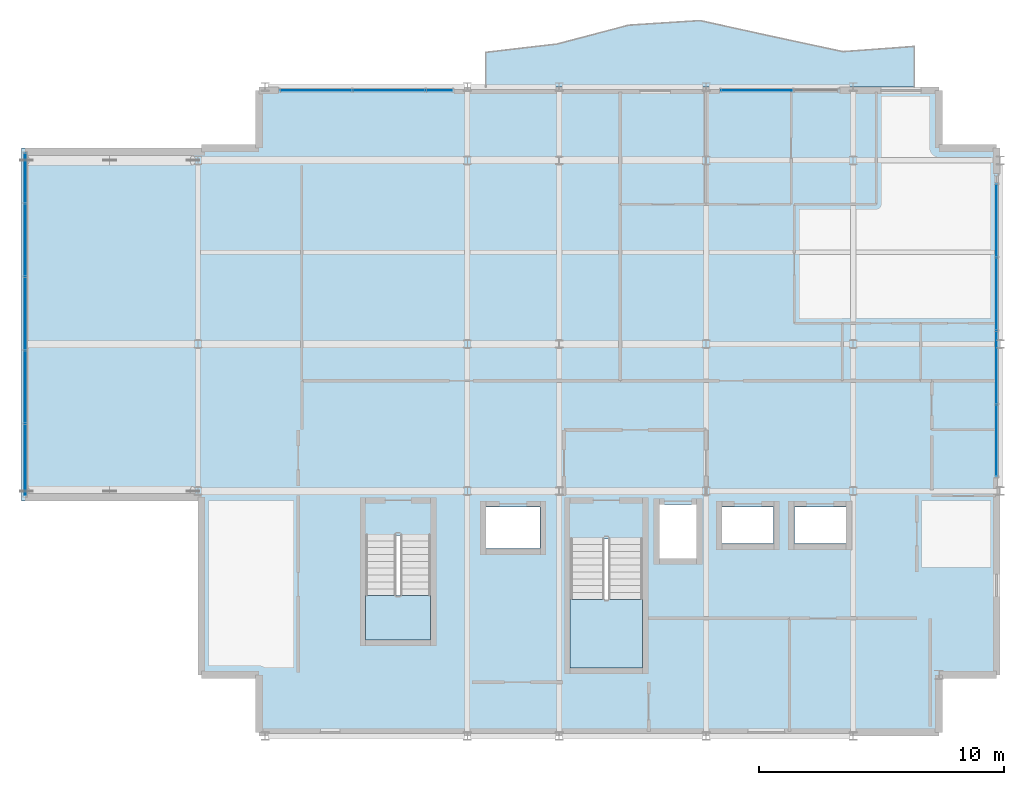
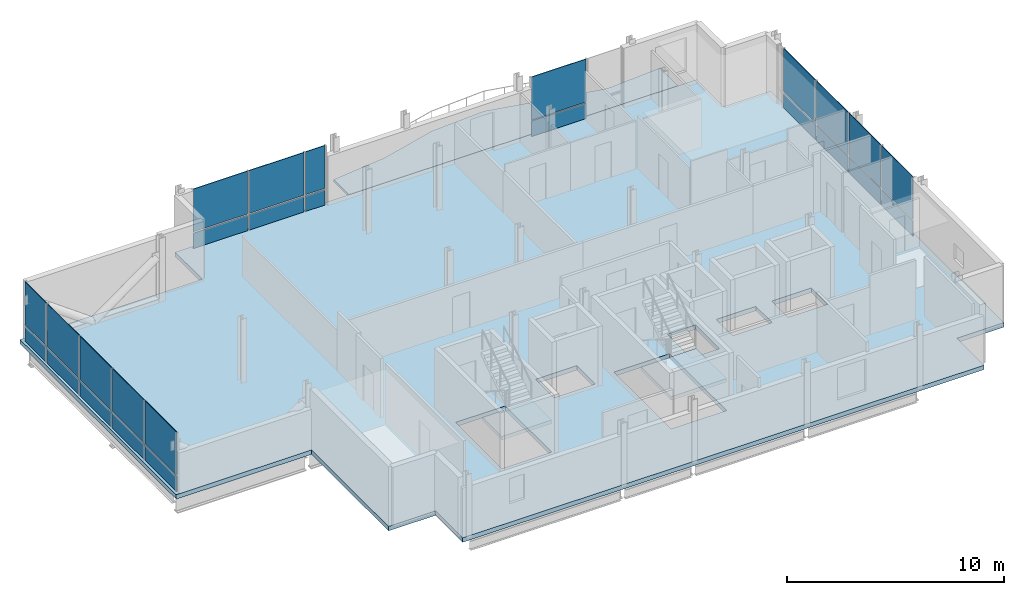
# One storey, part 10 of 18: 26 plates, 4 slabs, 6 elements without a shape of their own.
"""IFC4 building model written with IfcOpenShell, lengths in metres."""

from ifc_helpers import new_model, si_unit, direction, frame, origin, origin_2d, place, context, subcontext, project, spatial, polyline, rectangle, outline, extrude, material, layer, layer_set, type_object, element, aggregate, save


model = new_model("IFC4")

# Units and contexts
model_context = context("Model", 3, precision=1e-05, world=origin(), true_north=direction((0.0, 1.0)))
body_context = subcontext(model_context, "Body", "Model", "MODEL_VIEW")
ifc_project = project(units=[si_unit("LENGTHUNIT", "METRE"), si_unit("AREAUNIT", "SQUARE_METRE"), si_unit("VOLUMEUNIT", "CUBIC_METRE"), si_unit("PLANEANGLEUNIT", "RADIAN"), si_unit("MASSUNIT", "GRAM", prefix="KILO")], contexts=[model_context])

# Site, building, storey
site_placement = place(None, origin())
site = spatial("IfcSite", under=ifc_project, at=site_placement, CompositionType="ELEMENT")
building_placement = place(site_placement, origin())
building = spatial("IfcBuilding", under=site, at=building_placement, Name="Brevholm Reach", CompositionType="ELEMENT")
storey_placement = place(building_placement, frame((0.0, 0.0, 240.050048828125)))
storey = spatial("IfcBuildingStorey", under=building, at=storey_placement, Name="L73", CompositionType="ELEMENT", Elevation=240.050048828125)

# Curtain wall, plates
ifc_material_1 = material(Name="Dark Anodised Aluminium 6063-T6 and Solar-Control Glass", Category="aluminium")
ifc_layer_1 = layer(ifc_material_1, 0.179931640625)
ifc_layer_set_1 = layer_set([ifc_layer_1], Name="Dark Anodised Aluminium 6063-T6 and Solar-Control Glass")
curtain_wall_type = type_object("IfcCurtainWallType", Name="CW-05", PredefinedType="NOTDEFINED", material=ifc_layer_set_1)
curtain_wall_1_placement = place(storey_placement, origin())
curtain_wall_1 = element("IfcCurtainWall", 1, at=curtain_wall_1_placement, inside=storey, type_object=curtain_wall_type, Name="L73 Curtain Wall CW-05", PredefinedType="NOTDEFINED")
ifc_material_2 = material(Name="Low-Iron Laminated Acoustic Glass", Category="glass")
ifc_layer_2 = layer(ifc_material_2, 0.035888671875)
ifc_layer_set_2 = layer_set([ifc_layer_2], Name="Low-Iron Laminated Acoustic Glass")
plate_type = type_object("IfcPlateType", Name="CWP-GLZ-36", PredefinedType="CURTAIN_PANEL", material=ifc_layer_set_2)
plate_1_placement = place(storey_placement, frame((59.85009765625, 12.06884765625, 0.0), z_axis=(0.0, 0.0, 1.0), x_axis=(0.0, 1.0, 0.0)))
plate_1 = element("IfcPlate", 2, at=plate_1_placement, type_object=plate_type, Name="CP-02 Glazing Panel 1.1", PredefinedType="CURTAIN_PANEL", context=body_context, shape_type="SweptSolid", body=[
    extrude(rectangle(XDim=2.887451171875, YDim=0.035888671875, at=origin_2d()), origin(), (0.0, 0.0, 1.0), 0.862548828125),
])
plate_2_placement = place(storey_placement, frame((59.85009765625, 12.06884765625, 0.9375), z_axis=(0.0, 0.0, 1.0), x_axis=(0.0, 1.0, 0.0)))
plate_2 = element("IfcPlate", 3, at=plate_2_placement, type_object=plate_type, Name="CP-02 Glazing Panel 1.2", PredefinedType="CURTAIN_PANEL", context=body_context, shape_type="SweptSolid", body=[
    extrude(rectangle(XDim=2.887451171875, YDim=0.035888671875, at=origin_2d()), origin(), (0.0, 0.0, 1.0), 2.41259765625),
])
plate_3_placement = place(storey_placement, frame((59.85009765625, 15.050048828125, 0.0), z_axis=(0.0, 0.0, 1.0), x_axis=(0.0, 1.0, 0.0)))
plate_3 = element("IfcPlate", 4, at=plate_3_placement, type_object=plate_type, Name="CP-02 Glazing Panel 2.1", PredefinedType="CURTAIN_PANEL", context=body_context, shape_type="SweptSolid", body=[
    extrude(rectangle(XDim=2.925048828125, YDim=0.035888671875, at=origin_2d()), origin(), (0.0, 0.0, 1.0), 0.862548828125),
])
plate_4_placement = place(storey_placement, frame((59.85009765625, 15.050048828125, 0.9375), z_axis=(0.0, 0.0, 1.0), x_axis=(0.0, 1.0, 0.0)))
plate_4 = element("IfcPlate", 5, at=plate_4_placement, type_object=plate_type, Name="CP-02 Glazing Panel 2.2", PredefinedType="CURTAIN_PANEL", context=body_context, shape_type="SweptSolid", body=[
    extrude(rectangle(XDim=2.925048828125, YDim=0.035888671875, at=origin_2d()), origin(), (0.0, 0.0, 1.0), 2.41259765625),
])
plate_5_placement = place(storey_placement, frame((59.85009765625, 18.050048828125, 0.0), z_axis=(0.0, 0.0, 1.0), x_axis=(0.0, 1.0, 0.0)))
plate_5 = element("IfcPlate", 6, at=plate_5_placement, type_object=plate_type, Name="CP-02 Glazing Panel 3.1", PredefinedType="CURTAIN_PANEL", context=body_context, shape_type="SweptSolid", body=[
    extrude(rectangle(XDim=2.925048828125, YDim=0.035888671875, at=origin_2d()), origin(), (0.0, 0.0, 1.0), 0.862548828125),
])
plate_6_placement = place(storey_placement, frame((59.85009765625, 18.050048828125, 0.9375), z_axis=(0.0, 0.0, 1.0), x_axis=(0.0, 1.0, 0.0)))
plate_6 = element("IfcPlate", 7, at=plate_6_placement, type_object=plate_type, Name="CP-02 Glazing Panel 3.2", PredefinedType="CURTAIN_PANEL", context=body_context, shape_type="SweptSolid", body=[
    extrude(rectangle(XDim=2.925048828125, YDim=0.035888671875, at=origin_2d()), origin(), (0.0, 0.0, 1.0), 2.41259765625),
])
plate_7_placement = place(storey_placement, frame((59.85009765625, 21.050048828125, 0.0), z_axis=(0.0, 0.0, 1.0), x_axis=(0.0, 1.0, 0.0)))
plate_7 = element("IfcPlate", 8, at=plate_7_placement, type_object=plate_type, Name="CP-02 Glazing Panel 4.1", PredefinedType="CURTAIN_PANEL", context=body_context, shape_type="SweptSolid", body=[
    extrude(rectangle(XDim=2.925048828125, YDim=0.035888671875, at=origin_2d()), origin(), (0.0, 0.0, 1.0), 0.862548828125),
])
plate_8_placement = place(storey_placement, frame((59.85009765625, 21.050048828125, 0.9375), z_axis=(0.0, 0.0, 1.0), x_axis=(0.0, 1.0, 0.0)))
plate_8 = element("IfcPlate", 9, at=plate_8_placement, type_object=plate_type, Name="CP-02 Glazing Panel 4.2", PredefinedType="CURTAIN_PANEL", context=body_context, shape_type="SweptSolid", body=[
    extrude(rectangle(XDim=2.925048828125, YDim=0.035888671875, at=origin_2d()), origin(), (0.0, 0.0, 1.0), 2.41259765625),
])
aggregate(curtain_wall_1, [plate_1, plate_2, plate_3, plate_4, plate_5, plate_6, plate_7, plate_8])

curtain_wall_2_placement = place(storey_placement, origin())
curtain_wall_2 = element("IfcCurtainWall", 10, at=curtain_wall_2_placement, inside=storey, type_object=curtain_wall_type, Name="L73 Curtain Wall CW-05", PredefinedType="NOTDEFINED")
plate_9_placement = place(storey_placement, frame((32.06884765625, 26.35009765625, 0.0), z_axis=(0.0, 0.0, 1.0), x_axis=(1.0, 0.0, 0.0)))
plate_9 = element("IfcPlate", 11, at=plate_9_placement, type_object=plate_type, Name="CP-02 Glazing Panel 1.1", PredefinedType="CURTAIN_PANEL", context=body_context, shape_type="SweptSolid", body=[
    extrude(rectangle(XDim=2.887451171875, YDim=0.035888671875, at=origin_2d()), origin(), (0.0, 0.0, 1.0), 0.862548828125),
])
plate_10_placement = place(storey_placement, frame((32.06884765625, 26.35009765625, 0.9375), z_axis=(0.0, 0.0, 1.0), x_axis=(1.0, 0.0, 0.0)))
plate_10 = element("IfcPlate", 12, at=plate_10_placement, type_object=plate_type, Name="CP-02 Glazing Panel 1.2", PredefinedType="CURTAIN_PANEL", context=body_context, shape_type="SweptSolid", body=[
    extrude(rectangle(XDim=2.887451171875, YDim=0.035888671875, at=origin_2d()), origin(), (0.0, 0.0, 1.0), 2.41259765625),
])
plate_11_placement = place(storey_placement, frame((35.050048828125, 26.35009765625, 0.0), z_axis=(0.0, 0.0, 1.0), x_axis=(1.0, 0.0, 0.0)))
plate_11 = element("IfcPlate", 13, at=plate_11_placement, type_object=plate_type, Name="CP-02 Glazing Panel 2.1", PredefinedType="CURTAIN_PANEL", context=body_context, shape_type="SweptSolid", body=[
    extrude(rectangle(XDim=2.925048828125, YDim=0.035888671875, at=origin_2d()), origin(), (0.0, 0.0, 1.0), 0.862548828125),
])
plate_12_placement = place(storey_placement, frame((35.050048828125, 26.35009765625, 0.9375), z_axis=(0.0, 0.0, 1.0), x_axis=(1.0, 0.0, 0.0)))
plate_12 = element("IfcPlate", 14, at=plate_12_placement, type_object=plate_type, Name="CP-02 Glazing Panel 2.2", PredefinedType="CURTAIN_PANEL", context=body_context, shape_type="SweptSolid", body=[
    extrude(rectangle(XDim=2.925048828125, YDim=0.035888671875, at=origin_2d()), origin(), (0.0, 0.0, 1.0), 2.41259765625),
])
plate_13_placement = place(storey_placement, frame((37.106201171875, 26.35009765625, 0.0), z_axis=(0.0, 0.0, 1.0), x_axis=(1.0, 0.0, 0.0)))
plate_13 = element("IfcPlate", 15, at=plate_13_placement, type_object=plate_type, Name="CP-02 Glazing Panel 3.1", PredefinedType="CURTAIN_PANEL", context=body_context, shape_type="SweptSolid", body=[
    extrude(rectangle(XDim=1.03759765625, YDim=0.035888671875, at=origin_2d()), origin(), (0.0, 0.0, 1.0), 0.862548828125),
])
plate_14_placement = place(storey_placement, frame((37.106201171875, 26.35009765625, 0.9375), z_axis=(0.0, 0.0, 1.0), x_axis=(1.0, 0.0, 0.0)))
plate_14 = element("IfcPlate", 16, at=plate_14_placement, type_object=plate_type, Name="CP-02 Glazing Panel 3.2", PredefinedType="CURTAIN_PANEL", context=body_context, shape_type="SweptSolid", body=[
    extrude(rectangle(XDim=1.03759765625, YDim=0.035888671875, at=origin_2d()), origin(), (0.0, 0.0, 1.0), 2.41259765625),
])
aggregate(curtain_wall_2, [plate_9, plate_10, plate_11, plate_12, plate_13, plate_14])

curtain_wall_3_placement = place(storey_placement, origin())
curtain_wall_3 = element("IfcCurtainWall", 17, at=curtain_wall_3_placement, inside=storey, type_object=curtain_wall_type, Name="L73 Curtain Wall CW-05", PredefinedType="NOTDEFINED")
plate_15_placement = place(storey_placement, frame((50.06884765625, 26.35009765625, 0.0), z_axis=(0.0, 0.0, 1.0), x_axis=(1.0, 0.0, 0.0)))
plate_15 = element("IfcPlate", 18, at=plate_15_placement, type_object=plate_type, Name="CP-02 Glazing Panel 1.1", PredefinedType="CURTAIN_PANEL", context=body_context, shape_type="SweptSolid", body=[
    extrude(rectangle(XDim=2.887451171875, YDim=0.035888671875, at=origin_2d()), origin(), (0.0, 0.0, 1.0), 0.862548828125),
])
plate_16_placement = place(storey_placement, frame((50.06884765625, 26.35009765625, 0.9375), z_axis=(0.0, 0.0, 1.0), x_axis=(1.0, 0.0, 0.0)))
plate_16 = element("IfcPlate", 19, at=plate_16_placement, type_object=plate_type, Name="CP-02 Glazing Panel 1.2", PredefinedType="CURTAIN_PANEL", context=body_context, shape_type="SweptSolid", body=[
    extrude(rectangle(XDim=2.887451171875, YDim=0.035888671875, at=origin_2d()), origin(), (0.0, 0.0, 1.0), 2.41259765625),
])
aggregate(curtain_wall_3, [plate_15, plate_16])

curtain_wall_4_placement = place(storey_placement, origin())
curtain_wall_4 = element("IfcCurtainWall", 20, at=curtain_wall_4_placement, inside=storey, type_object=curtain_wall_type, Name="L73 Curtain Wall CW-05", PredefinedType="NOTDEFINED")
plate_17_placement = place(storey_placement, frame((20.199951171875, 11.268798828125, 0.0), z_axis=(0.0, 0.0, 1.0), x_axis=(0.0, 1.0, 0.0)))
plate_17 = element("IfcPlate", 21, at=plate_17_placement, type_object=plate_type, Name="CP-02 Glazing Panel 1.1", PredefinedType="CURTAIN_PANEL", context=body_context, shape_type="SweptSolid", body=[
    extrude(rectangle(XDim=2.887451171875, YDim=0.035888671875, at=origin_2d()), origin(), (0.0, 0.0, 1.0), 0.862548828125),
])
plate_18_placement = place(storey_placement, frame((20.199951171875, 11.268798828125, 0.9375), z_axis=(0.0, 0.0, 1.0), x_axis=(0.0, 1.0, 0.0)))
plate_18 = element("IfcPlate", 22, at=plate_18_placement, type_object=plate_type, Name="CP-02 Glazing Panel 1.2", PredefinedType="CURTAIN_PANEL", context=body_context, shape_type="SweptSolid", body=[
    extrude(rectangle(XDim=2.887451171875, YDim=0.035888671875, at=origin_2d()), origin(), (0.0, 0.0, 1.0), 2.41259765625),
])
plate_19_placement = place(storey_placement, frame((20.199951171875, 14.25, 0.0), z_axis=(0.0, 0.0, 1.0), x_axis=(0.0, 1.0, 0.0)))
plate_19 = element("IfcPlate", 23, at=plate_19_placement, type_object=plate_type, Name="CP-02 Glazing Panel 2.1", PredefinedType="CURTAIN_PANEL", context=body_context, shape_type="SweptSolid", body=[
    extrude(rectangle(XDim=2.925048828125, YDim=0.035888671875, at=origin_2d()), origin(), (0.0, 0.0, 1.0), 0.862548828125),
])
plate_20_placement = place(storey_placement, frame((20.199951171875, 14.25, 0.9375), z_axis=(0.0, 0.0, 1.0), x_axis=(0.0, 1.0, 0.0)))
plate_20 = element("IfcPlate", 24, at=plate_20_placement, type_object=plate_type, Name="CP-02 Glazing Panel 2.2", PredefinedType="CURTAIN_PANEL", context=body_context, shape_type="SweptSolid", body=[
    extrude(rectangle(XDim=2.925048828125, YDim=0.035888671875, at=origin_2d()), origin(), (0.0, 0.0, 1.0), 2.41259765625),
])
plate_21_placement = place(storey_placement, frame((20.199951171875, 17.25, 0.0), z_axis=(0.0, 0.0, 1.0), x_axis=(0.0, 1.0, 0.0)))
plate_21 = element("IfcPlate", 25, at=plate_21_placement, type_object=plate_type, Name="CP-02 Glazing Panel 3.1", PredefinedType="CURTAIN_PANEL", context=body_context, shape_type="SweptSolid", body=[
    extrude(rectangle(XDim=2.925048828125, YDim=0.035888671875, at=origin_2d()), origin(), (0.0, 0.0, 1.0), 0.862548828125),
])
plate_22_placement = place(storey_placement, frame((20.199951171875, 17.25, 0.9375), z_axis=(0.0, 0.0, 1.0), x_axis=(0.0, 1.0, 0.0)))
plate_22 = element("IfcPlate", 26, at=plate_22_placement, type_object=plate_type, Name="CP-02 Glazing Panel 3.2", PredefinedType="CURTAIN_PANEL", context=body_context, shape_type="SweptSolid", body=[
    extrude(rectangle(XDim=2.925048828125, YDim=0.035888671875, at=origin_2d()), origin(), (0.0, 0.0, 1.0), 2.41259765625),
])
plate_23_placement = place(storey_placement, frame((20.199951171875, 20.25, 0.0), z_axis=(0.0, 0.0, 1.0), x_axis=(0.0, 1.0, 0.0)))
plate_23 = element("IfcPlate", 27, at=plate_23_placement, type_object=plate_type, Name="CP-02 Glazing Panel 4.1", PredefinedType="CURTAIN_PANEL", context=body_context, shape_type="SweptSolid", body=[
    extrude(rectangle(XDim=2.925048828125, YDim=0.035888671875, at=origin_2d()), origin(), (0.0, 0.0, 1.0), 0.862548828125),
])
plate_24_placement = place(storey_placement, frame((20.199951171875, 20.25, 0.9375), z_axis=(0.0, 0.0, 1.0), x_axis=(0.0, 1.0, 0.0)))
plate_24 = element("IfcPlate", 28, at=plate_24_placement, type_object=plate_type, Name="CP-02 Glazing Panel 4.2", PredefinedType="CURTAIN_PANEL", context=body_context, shape_type="SweptSolid", body=[
    extrude(rectangle(XDim=2.925048828125, YDim=0.035888671875, at=origin_2d()), origin(), (0.0, 0.0, 1.0), 2.41259765625),
])
plate_25_placement = place(storey_placement, frame((20.199951171875, 22.78125, 0.0), z_axis=(0.0, 0.0, 1.0), x_axis=(0.0, 1.0, 0.0)))
plate_25 = element("IfcPlate", 29, at=plate_25_placement, type_object=plate_type, Name="CP-02 Glazing Panel 5.1", PredefinedType="CURTAIN_PANEL", context=body_context, shape_type="SweptSolid", body=[
    extrude(rectangle(XDim=1.987548828125, YDim=0.035888671875, at=origin_2d()), origin(), (0.0, 0.0, 1.0), 0.862548828125),
])
plate_26_placement = place(storey_placement, frame((20.199951171875, 22.78125, 0.9375), z_axis=(0.0, 0.0, 1.0), x_axis=(0.0, 1.0, 0.0)))
plate_26 = element("IfcPlate", 30, at=plate_26_placement, type_object=plate_type, Name="CP-02 Glazing Panel 5.2", PredefinedType="CURTAIN_PANEL", context=body_context, shape_type="SweptSolid", body=[
    extrude(rectangle(XDim=1.987548828125, YDim=0.035888671875, at=origin_2d()), origin(), (0.0, 0.0, 1.0), 2.41259765625),
])
aggregate(curtain_wall_4, [plate_17, plate_18, plate_19, plate_20, plate_21, plate_22, plate_23, plate_24, plate_25, plate_26])

# Slabs
ifc_material_3 = material(Name="Precast Concrete C45/55", Category="concrete")
ifc_layer_3 = layer(ifc_material_3, 0.14990234375)
ifc_layer_set_3 = layer_set([ifc_layer_3], Name="Precast Concrete C45/55")
slab_type_1 = type_object("IfcSlabType", Name="SLB-BAL-150", PredefinedType="FLOOR", material=ifc_layer_set_3)
slab_1_placement = place(storey_placement, frame((0.0, 0.0, -0.150146484375)))
element("IfcSlab", 31, at=slab_1_placement, inside=storey, type_object=slab_type_1, Name="L73 Rippling External Balcony NE", PredefinedType="FLOOR", context=body_context, shape_type="SweptSolid", body=[
    extrude(outline(polyline([(39.0, 26.5), (56.5, 26.5), (56.5, 28.150146484375), (53.583251953125, 27.936767578125), (50.666748046875, 28.563232421875), (47.75, 29.205078125), (44.833251953125, 29.017822265625), (41.916748046875, 28.247802734375), (39.0, 27.908203125), (39.0, 26.5)])), origin(), (0.0, 0.0, 1.0), 0.150146484375),
])
ifc_material_4 = material(Name="Concrete C40/50", Category="concrete")
ifc_layer_4 = layer(ifc_material_4, 0.25)
ifc_layer_set_4 = layer_set([ifc_layer_4], Name="Concrete C40/50")
slab_type_2 = type_object("IfcSlabType", Name="SLB-FL-250", PredefinedType="FLOOR", material=ifc_layer_set_4)
slab_2_placement = place(storey_placement, frame((0.0, 0.0, -0.25)))
element("IfcSlab", 32, at=slab_2_placement, inside=storey, type_object=slab_type_2, Name="L73 Suspended Floor Slab (sky-lounge)", PredefinedType="FLOOR", context=body_context, shape_type="SweptSolid", body=[
    extrude(outline(polyline([(29.75, 0.0), (57.5, 0.0), (57.5, 2.5), (60.0, 2.5), (60.0, 24.0), (57.5, 24.0), (57.5, 26.5), (29.75, 26.5), (29.75, 24.0), (20.050048828125, 24.0), (20.050048828125, 9.60009765625), (27.25, 9.60009765625), (27.25, 2.5), (29.75, 2.5), (29.75, 0.0)]), holes=[polyline([(42.449951171875, 2.780029296875), (45.39990234375, 2.780029296875), (45.39990234375, 8.044921875), (42.449951171875, 8.044921875), (42.449951171875, 2.780029296875)]), polyline([(34.10009765625, 3.919921875), (36.75, 3.919921875), (36.75, 8.195068359375), (34.10009765625, 8.195068359375), (34.10009765625, 3.919921875)]), polyline([(46.10009765625, 7.25), (47.60009765625, 7.25), (47.60009765625, 9.449951171875), (46.10009765625, 9.449951171875), (46.10009765625, 7.25)]), polyline([(39.02001953125, 7.64990234375), (41.219970703125, 7.64990234375), (41.219970703125, 9.35009765625), (39.02001953125, 9.35009765625), (39.02001953125, 7.64990234375)]), polyline([(48.64990234375, 7.85009765625), (50.75, 7.85009765625), (50.75, 9.35009765625), (48.64990234375, 9.35009765625), (48.64990234375, 7.85009765625)]), polyline([(51.60009765625, 7.85009765625), (53.699951171875, 7.85009765625), (53.699951171875, 9.35009765625), (51.60009765625, 9.35009765625), (51.60009765625, 7.85009765625)])]), origin(), (0.0, 0.0, 1.0), 0.25),
])

# Stair, slab
ifc_material_5 = material(Name="Precast Concrete C40/50", Category="concrete")
stair_type_1 = type_object("IfcStairType", Name="STR-ESC-1400", PredefinedType="DOUBLE_RETURN_STAIR", material=ifc_material_5)
stair_1_placement = place(storey_placement, origin())
stair_1 = element("IfcStair", 33, at=stair_1_placement, inside=storey, type_object=stair_type_1, Name="L73 ST-2", PredefinedType="DOUBLE_RETURN_STAIR")
ifc_material_6 = material(Name="Concrete C40/50", Category="concrete")
ifc_layer_5 = layer(ifc_material_6, 0.199951171875)
ifc_layer_set_5 = layer_set([ifc_layer_5], Name="Concrete C40/50")
slab_type_3 = type_object("IfcSlabType", Name="SLB-LND-200", PredefinedType="LANDING", material=ifc_layer_set_5)
slab_3_placement = place(storey_placement, frame((0.0, 0.0, 1.599853515625)))
slab_3 = element("IfcSlab", 34, at=slab_3_placement, type_object=slab_type_3, Name="ST-2 landing 1", PredefinedType="LANDING", context=body_context, shape_type="SweptSolid", body=[
    extrude(outline(polyline([(42.449951171875, 5.580078125), (42.449951171875, 2.780029296875), (45.39990234375, 2.780029296875), (45.39990234375, 5.580078125), (42.449951171875, 5.580078125)])), origin(), (0.0, 0.0, 1.0), 0.2001953125),
])
aggregate(stair_1, [slab_3])

ifc_material_7 = material(Name="Precast Concrete C40/50", Category="concrete")
stair_type_2 = type_object("IfcStairType", Name="STR-ESC-1250", PredefinedType="DOUBLE_RETURN_STAIR", material=ifc_material_7)
stair_2_placement = place(storey_placement, origin())
stair_2 = element("IfcStair", 35, at=stair_2_placement, inside=storey, type_object=stair_type_2, Name="L73 ST-3", PredefinedType="DOUBLE_RETURN_STAIR")
slab_4_placement = place(storey_placement, frame((0.0, 0.0, 1.599853515625)))
slab_4 = element("IfcSlab", 36, at=slab_4_placement, type_object=slab_type_3, Name="ST-3 landing 1", PredefinedType="LANDING", context=body_context, shape_type="SweptSolid", body=[
    extrude(outline(polyline([(34.10009765625, 5.72998046875), (34.10009765625, 3.919921875), (36.75, 3.919921875), (36.75, 5.72998046875), (34.10009765625, 5.72998046875)])), origin(), (0.0, 0.0, 1.0), 0.2001953125),
])
aggregate(stair_2, [slab_4])

save(model, "model.ifc")
